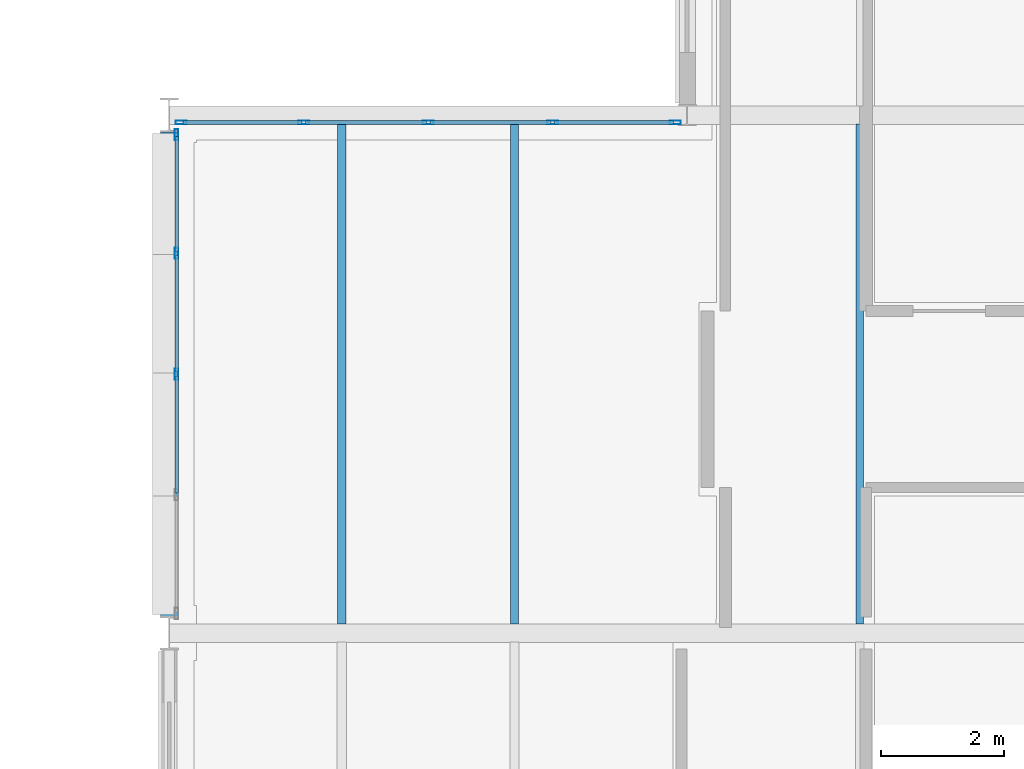
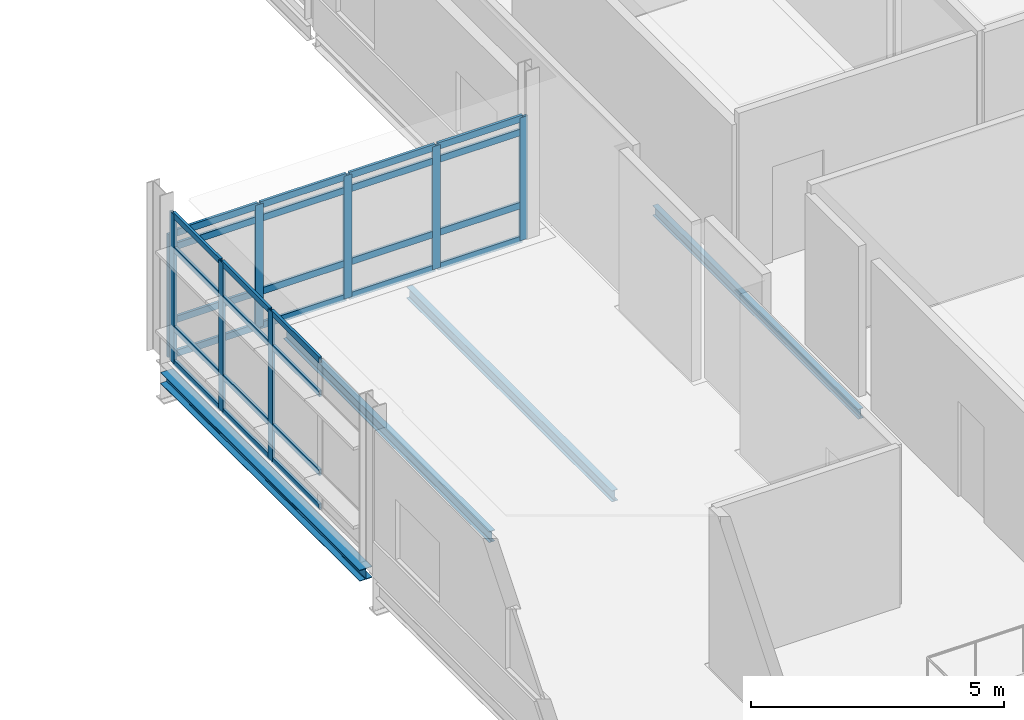
# One storey, part 53 of 131: 36 members, 4 beams, 2 elements without a shape of their own.
"""IFC4 building model written with IfcOpenShell, lengths in metres."""

import ifcopenshell
import ifcopenshell.guid

model = None  # the IFC model being written
_history = None  # IfcOwnerHistory: only IFC2X3 demands one
_inside = {}  # id of a spatial element -> (the spatial element, [elements in it])
_under = {}  # id of a project, library or spatial element -> (it, [spatial elements below it])
_declared = {}  # id of a project -> (the project, [libraries it declares])
_typed = {}  # id of a type object -> (the type object, [elements of that type])
_made_of = {}  # id of a material, layer set ... -> (it, [elements and type objects made of it])


def new_model(schema):
    """Start an empty IFC model of exactly this schema.

    Asked for "IFC4X3", IfcOpenShell would pick the latest addendum, in which some entities
    have other attributes; the version numbers below select the first issue.
    IFC2X3 requires an IfcOwnerHistory on every rooted entity: one is made here for all.
    """
    global model, _history
    if schema == "IFC4X3":
        model = ifcopenshell.file(schema_version=(4, 3, 0, 0))
    else:
        model = ifcopenshell.file(schema=schema)
    _inside.clear()
    _under.clear()
    _declared.clear()
    _typed.clear()
    _made_of.clear()
    _history = None
    if model.schema == "IFC2X3":
        org = make("IfcOrganization", Name="unknown")
        user = make(
            "IfcPersonAndOrganization",
            ThePerson=make("IfcPerson", FamilyName="unknown"),
            TheOrganization=org,
        )
        app = make(
            "IfcApplication",
            ApplicationDeveloper=org,
            Version="unknown",
            ApplicationFullName="unknown",
            ApplicationIdentifier="unknown",
        )
        _history = make(
            "IfcOwnerHistory",
            OwningUser=user,
            OwningApplication=app,
            ChangeAction="ADDED",
            CreationDate=0,
        )
    return model


def make(cls, **values):
    """One entity of the class cls with the attributes given. An attribute that is None is left unset."""
    return model.create_entity(
        cls, **{name: value for name, value in values.items() if value is not None}
    )


def rooted(cls, **values):
    """An entity with a GlobalId (a new one), such as an element, a storey or a relation."""
    return make(cls, GlobalId=ifcopenshell.guid.new(), OwnerHistory=_history, **values)


def si_unit(unit_type, name, prefix=None):
    """IfcSIUnit, for example si_unit("LENGTHUNIT", "METRE", prefix="MILLI")."""
    return make("IfcSIUnit", UnitType=unit_type, Prefix=prefix, Name=name)


def assignment(units):
    """IfcUnitAssignment: the units of a project."""
    return None if units is None else make("IfcUnitAssignment", Units=units)


def point(xyz):
    """IfcCartesianPoint."""
    return None if xyz is None else make("IfcCartesianPoint", Coordinates=xyz)


def direction(xyz):
    """IfcDirection."""
    return None if xyz is None else make("IfcDirection", DirectionRatios=xyz)


def frame(location, z_axis=None, x_axis=None):
    """IfcAxis2Placement3D, a coordinate frame: its origin and axes. An axis left out is left unset."""
    return make(
        "IfcAxis2Placement3D",
        Location=point(location),
        Axis=direction(z_axis),
        RefDirection=direction(x_axis),
    )


def frame_2d(location, x_axis=None):
    """IfcAxis2Placement2D, a coordinate frame in the plane: its origin and x axis."""
    return make(
        "IfcAxis2Placement2D", Location=point(location), RefDirection=direction(x_axis)
    )


def origin():
    """The frame at (0, 0, 0) with its axes left unset."""
    return frame((0.0, 0.0, 0.0))


def origin_2d():
    """The frame at (0, 0) in the plane with its x axis left unset."""
    return frame_2d((0.0, 0.0))


def place(relative_to, where):
    """IfcLocalPlacement: puts the frame where relative to a parent placement (None: the world)."""
    return make(
        "IfcLocalPlacement", PlacementRelTo=relative_to, RelativePlacement=where
    )


def context(
    kind, dimensions, precision=None, world=None, true_north=None, identifier=None
):
    """IfcGeometricRepresentationContext, for example the 3D "Model" context."""
    return make(
        "IfcGeometricRepresentationContext",
        ContextIdentifier=identifier,
        ContextType=kind,
        CoordinateSpaceDimension=dimensions,
        Precision=precision,
        WorldCoordinateSystem=world,
        TrueNorth=true_north,
    )


def subcontext(parent, identifier, kind, view, scale=None):
    """IfcGeometricRepresentationSubContext, for example "Body" below "Model"."""
    return make(
        "IfcGeometricRepresentationSubContext",
        ContextIdentifier=identifier,
        ContextType=kind,
        ParentContext=parent,
        TargetScale=scale,
        TargetView=view,
    )


def project(units=None, contexts=None):
    """IfcProject with its units and contexts."""
    return rooted(
        "IfcProject",
        Name="project",
        RepresentationContexts=contexts,
        UnitsInContext=assignment(units),
    )


def spatial(cls, under=None, at=None, **own):
    """A site, building, storey or space (cls), placed at a placement, below another one or the project."""
    s = rooted(cls, ObjectPlacement=at, **own)
    if under is not None:
        _under.setdefault(under.id(), (under, []))[1].append(s)
    return s


def profile(cls, at=None, kind="AREA", **sizes):
    """A parametric profile (cls). Its sizes go by their IFC names, for example OverallWidth=200.0."""
    return make(cls, ProfileType=kind, Position=at, **sizes)


def hollow_rectangle(**sizes):
    """IfcRectangleHollowProfileDef."""
    return profile("IfcRectangleHollowProfileDef", **sizes)


def i_section(**sizes):
    """IfcIShapeProfileDef."""
    return profile("IfcIShapeProfileDef", **sizes)


def extrude(swept, where, along, depth):
    """IfcExtrudedAreaSolid: the profile swept, set in the frame where, extruded along a direction by depth."""
    return make(
        "IfcExtrudedAreaSolid",
        SweptArea=swept,
        Position=where,
        ExtrudedDirection=direction(along),
        Depth=depth,
    )


def shape(context_of_items, identifier, shape_type, items):
    """IfcShapeRepresentation: the items that make up one representation, for example the "Body"."""
    return make(
        "IfcShapeRepresentation",
        ContextOfItems=context_of_items,
        RepresentationIdentifier=identifier,
        RepresentationType=shape_type,
        Items=items,
    )


def material(Name=None, Category=None):
    """IfcMaterial."""
    return make("IfcMaterial", Name=Name, Category=Category)


def material_profile(
    of_material, cross_section, Name=None, Category=None, Priority=None
):
    """IfcMaterialProfile: a cross section and its material."""
    return make(
        "IfcMaterialProfile",
        Name=Name,
        Material=of_material,
        Profile=cross_section,
        Priority=Priority,
        Category=Category,
    )


def profile_set(profiles, Name=None, composite=None):
    """IfcMaterialProfileSet."""
    return make(
        "IfcMaterialProfileSet",
        Name=Name,
        MaterialProfiles=profiles,
        CompositeProfile=composite,
    )


def made_of(thing, what):
    """Note that an element or type object is made of a material, layer set ...; save() writes the relation."""
    if what is not None:
        _made_of.setdefault(what.id(), (what, []))[1].append(thing)
    return thing


def type_object(cls, material=None, **own):
    """A type object (cls), such as IfcWallType, which elements share."""
    return made_of(rooted(cls, **own), material)


def element(
    cls,
    number,
    at=None,
    inside=None,
    cuts=None,
    type_object=None,
    material=None,
    context=None,
    identifier="Body",
    shape_type=None,
    held_by="IfcProductDefinitionShape",
    body=None,
    shapes=None,
    **own,
):
    """One element of the class cls, such as IfcWall. Its Tag is "e" and its number.

    at: its placement. inside: the storey or other place that contains it. cuts: it is an
    opening in that element (IfcRelVoidsElement). A single representation is given by context,
    identifier, shape_type and body (its items); several are given by shapes. held_by: the class
    of the entity that holds the representations. save() writes the other relations.
    """
    e = rooted(cls, Tag="e%d" % number, ObjectPlacement=at, **own)
    if body is not None:
        shapes = [shape(context, identifier, shape_type, body)]
    if shapes is not None:
        e.Representation = make(held_by, Representations=shapes)
    if inside is not None:
        _inside.setdefault(inside.id(), (inside, []))[1].append(e)
    if cuts is not None:
        rooted(
            "IfcRelVoidsElement", RelatingBuildingElement=cuts, RelatedOpeningElement=e
        )
    if type_object is not None:
        _typed.setdefault(type_object.id(), (type_object, []))[1].append(e)
    return made_of(e, material)


def aggregate(whole, parts):
    """IfcRelAggregates: a whole, such as a stair, and the parts it consists of."""
    return rooted("IfcRelAggregates", RelatingObject=whole, RelatedObjects=parts)


def save(model, path):
    """Write the relations noted so far, then the file.

    IfcRelAggregates (storeys below a building ...), IfcRelContainedInSpatialStructure (elements
    in a storey), IfcRelDefinesByType, IfcRelAssociatesMaterial and IfcRelDeclares: one each for
    every whole, place, type object, material and project.
    """
    for whole, parts in _under.values():
        aggregate(whole, parts)
    for where, things in _inside.values():
        rooted(
            "IfcRelContainedInSpatialStructure",
            RelatedElements=things,
            RelatingStructure=where,
        )
    for kind, things in _typed.values():
        rooted("IfcRelDefinesByType", RelatedObjects=things, RelatingType=kind)
    for what, things in _made_of.values():
        rooted("IfcRelAssociatesMaterial", RelatedObjects=things, RelatingMaterial=what)
    for by, libraries in _declared.values():
        rooted("IfcRelDeclares", RelatingContext=by, RelatedDefinitions=libraries)
    model.write(path)


model = new_model("IFC4")

# Units and contexts
model_context = context("Model", 3, precision=1e-05, world=origin(), true_north=direction((0.0, 1.0)))
body_context = subcontext(model_context, "Body", "Model", "MODEL_VIEW")
ifc_project = project(units=[si_unit("LENGTHUNIT", "METRE"), si_unit("AREAUNIT", "SQUARE_METRE"), si_unit("VOLUMEUNIT", "CUBIC_METRE"), si_unit("PLANEANGLEUNIT", "RADIAN"), si_unit("MASSUNIT", "GRAM", prefix="KILO")], contexts=[model_context])

# Site, building, storey
site_placement = place(None, origin())
site = spatial("IfcSite", under=ifc_project, at=site_placement, CompositionType="ELEMENT")
building_placement = place(site_placement, origin())
building = spatial("IfcBuilding", under=site, at=building_placement, Name="Mersafa Astral City Hall", CompositionType="ELEMENT")
storey_placement = place(building_placement, frame((0.0, 0.0, 13.949951171875)))
storey = spatial("IfcBuildingStorey", under=building, at=storey_placement, Name="L03", CompositionType="ELEMENT", Elevation=13.949951171875)

# Curtain wall, members
ifc_material_1 = material(Name="Anodised bronze aluminium framing", Category="aluminium")
curtain_wall_type_1 = type_object("IfcCurtainWallType", Name="ENV-CW-5", PredefinedType="USERDEFINED", material=ifc_material_1)
curtain_wall_1_placement = place(storey_placement, origin())
curtain_wall_1 = element("IfcCurtainWall", 1, at=curtain_wall_1_placement, inside=storey, type_object=curtain_wall_type_1, Name="L03 Unitised solar curtain wall 184", ObjectType="UNITISED CURTAIN WALL", PredefinedType="USERDEFINED")
ifc_material_profile_1 = material_profile(ifc_material_1, hollow_rectangle(XDim=0.06005859375, YDim=0.179931640625, WallThickness=0.00390625, at=origin_2d()), Name="RHS 60x180x4")
ifc_profile_set_1 = profile_set([ifc_material_profile_1], Name="Anodised bronze aluminium framing")
member_type_1 = type_object("IfcMemberType", Name="ENV-CW-MUL-1", PredefinedType="MULLION", material=ifc_profile_set_1)
member_1_placement = place(storey_placement, frame((100.60791015625, 92.280029296875, -0.001953125), z_axis=(0.0, 0.0, 1.0), x_axis=(0.0, -1.0, 0.0)))
member_1 = element("IfcMember", 2, at=member_1_placement, type_object=member_type_1, Name="CW-5 mullion 1", PredefinedType="MULLION", context=body_context, shape_type="SweptSolid", body=[
    extrude(hollow_rectangle(XDim=0.06005859375, YDim=0.179931640625, WallThickness=0.00390625, at=origin_2d()), origin(), (0.0, 0.0, 1.0), 2.964111328125),
])
member_2_placement = place(storey_placement, frame((98.618896484375, 92.280029296875, -0.001953125), z_axis=(0.0, 0.0, 1.0), x_axis=(0.0, -1.0, 0.0)))
member_2 = element("IfcMember", 3, at=member_2_placement, type_object=member_type_1, Name="CW-5 mullion 2", PredefinedType="MULLION", context=body_context, shape_type="SweptSolid", body=[
    extrude(hollow_rectangle(XDim=0.06005859375, YDim=0.179931640625, WallThickness=0.00390625, at=origin_2d()), origin(), (0.0, 0.0, 1.0), 2.964111328125),
])
member_3_placement = place(storey_placement, frame((96.60009765625, 92.280029296875, -0.001953125), z_axis=(0.0, 0.0, 1.0), x_axis=(0.0, -1.0, 0.0)))
member_3 = element("IfcMember", 4, at=member_3_placement, type_object=member_type_1, Name="CW-5 mullion 3", PredefinedType="MULLION", context=body_context, shape_type="SweptSolid", body=[
    extrude(hollow_rectangle(XDim=0.06005859375, YDim=0.179931640625, WallThickness=0.00390625, at=origin_2d()), origin(), (0.0, 0.0, 1.0), 2.964111328125),
])
member_4_placement = place(storey_placement, frame((94.5810546875, 92.280029296875, -0.001953125), z_axis=(0.0, 0.0, 1.0), x_axis=(0.0, -1.0, 0.0)))
member_4 = element("IfcMember", 5, at=member_4_placement, type_object=member_type_1, Name="CW-5 mullion 4", PredefinedType="MULLION", context=body_context, shape_type="SweptSolid", body=[
    extrude(hollow_rectangle(XDim=0.06005859375, YDim=0.179931640625, WallThickness=0.00390625, at=origin_2d()), origin(), (0.0, 0.0, 1.0), 2.964111328125),
])
member_5_placement = place(storey_placement, frame((92.592041015625, 92.280029296875, -0.001953125), z_axis=(0.0, 0.0, 1.0), x_axis=(0.0, -1.0, 0.0)))
member_5 = element("IfcMember", 6, at=member_5_placement, type_object=member_type_1, Name="CW-5 mullion 5", PredefinedType="MULLION", context=body_context, shape_type="SweptSolid", body=[
    extrude(hollow_rectangle(XDim=0.06005859375, YDim=0.179931640625, WallThickness=0.00390625, at=origin_2d()), origin(), (0.0, 0.0, 1.0), 2.964111328125),
])

curtain_wall_type_2 = type_object("IfcCurtainWallType", Name="ENV-CW-6", PredefinedType="USERDEFINED", material=ifc_material_1)
curtain_wall_2_placement = place(storey_placement, origin())
curtain_wall_2 = element("IfcCurtainWall", 7, at=curtain_wall_2_placement, inside=storey, type_object=curtain_wall_type_2, Name="L03 Unitised solar curtain wall 185", ObjectType="UNITISED CURTAIN WALL", PredefinedType="USERDEFINED")
member_6_placement = place(storey_placement, frame((92.52001953125, 92.0830078125, -0.001953125), z_axis=(0.0, 0.0, 1.0), x_axis=(1.0, 0.0, 0.0)))
member_6 = element("IfcMember", 8, at=member_6_placement, type_object=member_type_1, Name="CW-6 mullion 1", PredefinedType="MULLION", context=body_context, shape_type="SweptSolid", body=[
    extrude(hollow_rectangle(XDim=0.06005859375, YDim=0.179931640625, WallThickness=0.00390625, at=origin_2d()), origin(), (0.0, 0.0, 1.0), 3.593994140625),
])
member_7_placement = place(storey_placement, frame((92.52001953125, 90.156494140625, -0.001953125), z_axis=(0.0, 0.0, 1.0), x_axis=(1.0, 0.0, 0.0)))
member_7 = element("IfcMember", 9, at=member_7_placement, type_object=member_type_1, Name="CW-6 mullion 2", PredefinedType="MULLION", context=body_context, shape_type="SweptSolid", body=[
    extrude(hollow_rectangle(XDim=0.06005859375, YDim=0.179931640625, WallThickness=0.00390625, at=origin_2d()), origin(), (0.0, 0.0, 1.0), 3.593994140625),
])
member_8_placement = place(storey_placement, frame((92.52001953125, 88.199951171875, -0.001953125), z_axis=(0.0, 0.0, 1.0), x_axis=(1.0, 0.0, 0.0)))
member_8 = element("IfcMember", 10, at=member_8_placement, type_object=member_type_1, Name="CW-6 mullion 3", PredefinedType="MULLION", context=body_context, shape_type="SweptSolid", body=[
    extrude(hollow_rectangle(XDim=0.06005859375, YDim=0.179931640625, WallThickness=0.00390625, at=origin_2d()), origin(), (0.0, 0.0, 1.0), 3.593994140625),
])
ifc_material_profile_2 = material_profile(ifc_material_1, hollow_rectangle(XDim=0.06005859375, YDim=0.139892578125, WallThickness=0.00390625, at=origin_2d()), Name="RHS 60x140x4")
ifc_profile_set_2 = profile_set([ifc_material_profile_2], Name="Anodised bronze aluminium framing")
member_type_2 = type_object("IfcMemberType", Name="ENV-CW-TRN-1", PredefinedType="USERDEFINED", material=ifc_profile_set_2)
member_9_placement = place(storey_placement, frame((92.52001953125, 92.052978515625, 0.028076171875), z_axis=(0.0, -1.0, 0.0), x_axis=(1.0, 0.0, 0.0)))
member_9 = element("IfcMember", 11, at=member_9_placement, type_object=member_type_2, Name="CW-6 transom 1.1", ObjectType="TRANSOM", PredefinedType="USERDEFINED", context=body_context, shape_type="SweptSolid", body=[
    extrude(hollow_rectangle(XDim=0.06005859375, YDim=0.139892578125, WallThickness=0.00390625, at=origin_2d()), origin(), (0.0, 0.0, 1.0), 1.866455078125),
])
member_10_placement = place(storey_placement, frame((92.52001953125, 92.052978515625, 0.85009765625), z_axis=(0.0, -1.0, 0.0), x_axis=(1.0, 0.0, 0.0)))
member_10 = element("IfcMember", 12, at=member_10_placement, type_object=member_type_2, Name="CW-6 transom 1.2", ObjectType="TRANSOM", PredefinedType="USERDEFINED", context=body_context, shape_type="SweptSolid", body=[
    extrude(hollow_rectangle(XDim=0.06005859375, YDim=0.139892578125, WallThickness=0.00390625, at=origin_2d()), origin(), (0.0, 0.0, 1.0), 1.866455078125),
])
member_11_placement = place(storey_placement, frame((92.52001953125, 92.052978515625, 2.75), z_axis=(0.0, -1.0, 0.0), x_axis=(1.0, 0.0, 0.0)))
member_11 = element("IfcMember", 13, at=member_11_placement, type_object=member_type_2, Name="CW-6 transom 1.3", ObjectType="TRANSOM", PredefinedType="USERDEFINED", context=body_context, shape_type="SweptSolid", body=[
    extrude(hollow_rectangle(XDim=0.06005859375, YDim=0.139892578125, WallThickness=0.00390625, at=origin_2d()), origin(), (0.0, 0.0, 1.0), 1.866455078125),
])
member_12_placement = place(storey_placement, frame((92.52001953125, 92.052978515625, 3.56201171875), z_axis=(0.0, -1.0, 0.0), x_axis=(1.0, 0.0, 0.0)))
member_12 = element("IfcMember", 14, at=member_12_placement, type_object=member_type_2, Name="CW-6 transom 1.4", ObjectType="TRANSOM", PredefinedType="USERDEFINED", context=body_context, shape_type="SweptSolid", body=[
    extrude(hollow_rectangle(XDim=0.06005859375, YDim=0.139892578125, WallThickness=0.00390625, at=origin_2d()), origin(), (0.0, 0.0, 1.0), 1.866455078125),
])
member_13_placement = place(storey_placement, frame((92.52001953125, 90.12646484375, 0.028076171875), z_axis=(0.0, -1.0, 0.0), x_axis=(1.0, 0.0, 0.0)))
member_13 = element("IfcMember", 15, at=member_13_placement, type_object=member_type_2, Name="CW-6 transom 2.1", ObjectType="TRANSOM", PredefinedType="USERDEFINED", context=body_context, shape_type="SweptSolid", body=[
    extrude(hollow_rectangle(XDim=0.06005859375, YDim=0.139892578125, WallThickness=0.00390625, at=origin_2d()), origin(), (0.0, 0.0, 1.0), 1.896484375),
])
member_14_placement = place(storey_placement, frame((92.52001953125, 90.12646484375, 0.85009765625), z_axis=(0.0, -1.0, 0.0), x_axis=(1.0, 0.0, 0.0)))
member_14 = element("IfcMember", 16, at=member_14_placement, type_object=member_type_2, Name="CW-6 transom 2.2", ObjectType="TRANSOM", PredefinedType="USERDEFINED", context=body_context, shape_type="SweptSolid", body=[
    extrude(hollow_rectangle(XDim=0.06005859375, YDim=0.139892578125, WallThickness=0.00390625, at=origin_2d()), origin(), (0.0, 0.0, 1.0), 1.896484375),
])
member_15_placement = place(storey_placement, frame((92.52001953125, 90.12646484375, 2.75), z_axis=(0.0, -1.0, 0.0), x_axis=(1.0, 0.0, 0.0)))
member_15 = element("IfcMember", 17, at=member_15_placement, type_object=member_type_2, Name="CW-6 transom 2.3", ObjectType="TRANSOM", PredefinedType="USERDEFINED", context=body_context, shape_type="SweptSolid", body=[
    extrude(hollow_rectangle(XDim=0.06005859375, YDim=0.139892578125, WallThickness=0.00390625, at=origin_2d()), origin(), (0.0, 0.0, 1.0), 1.896484375),
])
member_16_placement = place(storey_placement, frame((92.52001953125, 90.12646484375, 3.56201171875), z_axis=(0.0, -1.0, 0.0), x_axis=(1.0, 0.0, 0.0)))
member_16 = element("IfcMember", 18, at=member_16_placement, type_object=member_type_2, Name="CW-6 transom 2.4", ObjectType="TRANSOM", PredefinedType="USERDEFINED", context=body_context, shape_type="SweptSolid", body=[
    extrude(hollow_rectangle(XDim=0.06005859375, YDim=0.139892578125, WallThickness=0.00390625, at=origin_2d()), origin(), (0.0, 0.0, 1.0), 1.896484375),
])
member_17_placement = place(storey_placement, frame((92.52001953125, 88.169921875, 0.028076171875), z_axis=(0.0, -1.0, 0.0), x_axis=(1.0, 0.0, 0.0)))
member_17 = element("IfcMember", 19, at=member_17_placement, type_object=member_type_2, Name="CW-6 transom 3.1", ObjectType="TRANSOM", PredefinedType="USERDEFINED", context=body_context, shape_type="SweptSolid", body=[
    extrude(hollow_rectangle(XDim=0.06005859375, YDim=0.139892578125, WallThickness=0.00390625, at=origin_2d()), origin(), (0.0, 0.0, 1.0), 1.896484375),
])
member_18_placement = place(storey_placement, frame((92.52001953125, 88.169921875, 0.85009765625), z_axis=(0.0, -1.0, 0.0), x_axis=(1.0, 0.0, 0.0)))
member_18 = element("IfcMember", 20, at=member_18_placement, type_object=member_type_2, Name="CW-6 transom 3.2", ObjectType="TRANSOM", PredefinedType="USERDEFINED", context=body_context, shape_type="SweptSolid", body=[
    extrude(hollow_rectangle(XDim=0.06005859375, YDim=0.139892578125, WallThickness=0.00390625, at=origin_2d()), origin(), (0.0, 0.0, 1.0), 1.896484375),
])
member_19_placement = place(storey_placement, frame((92.52001953125, 88.169921875, 2.75), z_axis=(0.0, -1.0, 0.0), x_axis=(1.0, 0.0, 0.0)))
member_19 = element("IfcMember", 21, at=member_19_placement, type_object=member_type_2, Name="CW-6 transom 3.3", ObjectType="TRANSOM", PredefinedType="USERDEFINED", context=body_context, shape_type="SweptSolid", body=[
    extrude(hollow_rectangle(XDim=0.06005859375, YDim=0.139892578125, WallThickness=0.00390625, at=origin_2d()), origin(), (0.0, 0.0, 1.0), 1.896484375),
])
member_20_placement = place(storey_placement, frame((92.52001953125, 88.169921875, 3.56201171875), z_axis=(0.0, -1.0, 0.0), x_axis=(1.0, 0.0, 0.0)))
member_20 = element("IfcMember", 22, at=member_20_placement, type_object=member_type_2, Name="CW-6 transom 3.4", ObjectType="TRANSOM", PredefinedType="USERDEFINED", context=body_context, shape_type="SweptSolid", body=[
    extrude(hollow_rectangle(XDim=0.06005859375, YDim=0.139892578125, WallThickness=0.00390625, at=origin_2d()), origin(), (0.0, 0.0, 1.0), 1.896484375),
])
aggregate(curtain_wall_2, [member_6, member_7, member_8, member_9, member_10, member_11, member_12, member_13, member_14, member_15, member_16, member_17, member_18, member_19, member_20])

# Member
ifc_material_profile_3 = material_profile(ifc_material_1, hollow_rectangle(XDim=0.06005859375, YDim=0.159912109375, WallThickness=0.00390625, at=origin_2d()), Name="RHS 60x160x4")
ifc_profile_set_3 = profile_set([ifc_material_profile_3], Name="Anodised bronze aluminium framing")
member_type_3 = type_object("IfcMemberType", Name="ENV-CW-TRN-2", PredefinedType="USERDEFINED", material=ifc_profile_set_3)
member_21_placement = place(storey_placement, frame((100.577880859375, 92.280029296875, 0.028076171875), z_axis=(-1.0, 0.0, 0.0), x_axis=(0.0, -1.0, 0.0)))
member_21 = element("IfcMember", 23, at=member_21_placement, type_object=member_type_3, Name="CW-5 transom 1.1", ObjectType="TRANSOM", PredefinedType="USERDEFINED", context=body_context, shape_type="SweptSolid", body=[
    extrude(hollow_rectangle(XDim=0.06005859375, YDim=0.159912109375, WallThickness=0.00390625, at=origin_2d()), origin(), (0.0, 0.0, 1.0), 1.928955078125),
])

member_22_placement = place(storey_placement, frame((100.577880859375, 92.280029296875, 0.85009765625), z_axis=(-1.0, 0.0, 0.0), x_axis=(0.0, -1.0, 0.0)))
member_22 = element("IfcMember", 24, at=member_22_placement, type_object=member_type_3, Name="CW-5 transom 1.2", ObjectType="TRANSOM", PredefinedType="USERDEFINED", context=body_context, shape_type="SweptSolid", body=[
    extrude(hollow_rectangle(XDim=0.06005859375, YDim=0.159912109375, WallThickness=0.00390625, at=origin_2d()), origin(), (0.0, 0.0, 1.0), 1.928955078125),
])

member_23_placement = place(storey_placement, frame((100.577880859375, 92.280029296875, 2.612060546875), z_axis=(-1.0, 0.0, 0.0), x_axis=(0.0, -1.0, 0.0)))
member_23 = element("IfcMember", 25, at=member_23_placement, type_object=member_type_3, Name="CW-5 transom 1.3", ObjectType="TRANSOM", PredefinedType="USERDEFINED", context=body_context, shape_type="SweptSolid", body=[
    extrude(hollow_rectangle(XDim=0.06005859375, YDim=0.159912109375, WallThickness=0.00390625, at=origin_2d()), origin(), (0.0, 0.0, 1.0), 1.928955078125),
])

member_24_placement = place(storey_placement, frame((100.577880859375, 92.280029296875, 2.93212890625), z_axis=(-1.0, 0.0, 0.0), x_axis=(0.0, -1.0, 0.0)))
member_24 = element("IfcMember", 26, at=member_24_placement, type_object=member_type_3, Name="CW-5 transom 1.4", ObjectType="TRANSOM", PredefinedType="USERDEFINED", context=body_context, shape_type="SweptSolid", body=[
    extrude(hollow_rectangle(XDim=0.06005859375, YDim=0.159912109375, WallThickness=0.00390625, at=origin_2d()), origin(), (0.0, 0.0, 1.0), 1.928955078125),
])

member_25_placement = place(storey_placement, frame((98.589111328125, 92.280029296875, 0.028076171875), z_axis=(-1.0, 0.0, 0.0), x_axis=(0.0, -1.0, 0.0)))
member_25 = element("IfcMember", 27, at=member_25_placement, type_object=member_type_3, Name="CW-5 transom 2.1", ObjectType="TRANSOM", PredefinedType="USERDEFINED", context=body_context, shape_type="SweptSolid", body=[
    extrude(hollow_rectangle(XDim=0.06005859375, YDim=0.159912109375, WallThickness=0.00390625, at=origin_2d()), origin(), (0.0, 0.0, 1.0), 1.959228515625),
])

member_26_placement = place(storey_placement, frame((98.589111328125, 92.280029296875, 0.85009765625), z_axis=(-1.0, 0.0, 0.0), x_axis=(0.0, -1.0, 0.0)))
member_26 = element("IfcMember", 28, at=member_26_placement, type_object=member_type_3, Name="CW-5 transom 2.2", ObjectType="TRANSOM", PredefinedType="USERDEFINED", context=body_context, shape_type="SweptSolid", body=[
    extrude(hollow_rectangle(XDim=0.06005859375, YDim=0.159912109375, WallThickness=0.00390625, at=origin_2d()), origin(), (0.0, 0.0, 1.0), 1.959228515625),
])

member_27_placement = place(storey_placement, frame((98.589111328125, 92.280029296875, 2.612060546875), z_axis=(-1.0, 0.0, 0.0), x_axis=(0.0, -1.0, 0.0)))
member_27 = element("IfcMember", 29, at=member_27_placement, type_object=member_type_3, Name="CW-5 transom 2.3", ObjectType="TRANSOM", PredefinedType="USERDEFINED", context=body_context, shape_type="SweptSolid", body=[
    extrude(hollow_rectangle(XDim=0.06005859375, YDim=0.159912109375, WallThickness=0.00390625, at=origin_2d()), origin(), (0.0, 0.0, 1.0), 1.959228515625),
])

member_28_placement = place(storey_placement, frame((98.589111328125, 92.280029296875, 2.93212890625), z_axis=(-1.0, 0.0, 0.0), x_axis=(0.0, -1.0, 0.0)))
member_28 = element("IfcMember", 30, at=member_28_placement, type_object=member_type_3, Name="CW-5 transom 2.4", ObjectType="TRANSOM", PredefinedType="USERDEFINED", context=body_context, shape_type="SweptSolid", body=[
    extrude(hollow_rectangle(XDim=0.06005859375, YDim=0.159912109375, WallThickness=0.00390625, at=origin_2d()), origin(), (0.0, 0.0, 1.0), 1.959228515625),
])

member_29_placement = place(storey_placement, frame((96.570068359375, 92.280029296875, 0.028076171875), z_axis=(-1.0, 0.0, 0.0), x_axis=(0.0, -1.0, 0.0)))
member_29 = element("IfcMember", 31, at=member_29_placement, type_object=member_type_3, Name="CW-5 transom 3.1", ObjectType="TRANSOM", PredefinedType="USERDEFINED", context=body_context, shape_type="SweptSolid", body=[
    extrude(hollow_rectangle(XDim=0.06005859375, YDim=0.159912109375, WallThickness=0.00390625, at=origin_2d()), origin(), (0.0, 0.0, 1.0), 1.958984375),
])

member_30_placement = place(storey_placement, frame((96.570068359375, 92.280029296875, 0.85009765625), z_axis=(-1.0, 0.0, 0.0), x_axis=(0.0, -1.0, 0.0)))
member_30 = element("IfcMember", 32, at=member_30_placement, type_object=member_type_3, Name="CW-5 transom 3.2", ObjectType="TRANSOM", PredefinedType="USERDEFINED", context=body_context, shape_type="SweptSolid", body=[
    extrude(hollow_rectangle(XDim=0.06005859375, YDim=0.159912109375, WallThickness=0.00390625, at=origin_2d()), origin(), (0.0, 0.0, 1.0), 1.958984375),
])

member_31_placement = place(storey_placement, frame((96.570068359375, 92.280029296875, 2.612060546875), z_axis=(-1.0, 0.0, 0.0), x_axis=(0.0, -1.0, 0.0)))
member_31 = element("IfcMember", 33, at=member_31_placement, type_object=member_type_3, Name="CW-5 transom 3.3", ObjectType="TRANSOM", PredefinedType="USERDEFINED", context=body_context, shape_type="SweptSolid", body=[
    extrude(hollow_rectangle(XDim=0.06005859375, YDim=0.159912109375, WallThickness=0.00390625, at=origin_2d()), origin(), (0.0, 0.0, 1.0), 1.958984375),
])

member_32_placement = place(storey_placement, frame((96.570068359375, 92.280029296875, 2.93212890625), z_axis=(-1.0, 0.0, 0.0), x_axis=(0.0, -1.0, 0.0)))
member_32 = element("IfcMember", 34, at=member_32_placement, type_object=member_type_3, Name="CW-5 transom 3.4", ObjectType="TRANSOM", PredefinedType="USERDEFINED", context=body_context, shape_type="SweptSolid", body=[
    extrude(hollow_rectangle(XDim=0.06005859375, YDim=0.159912109375, WallThickness=0.00390625, at=origin_2d()), origin(), (0.0, 0.0, 1.0), 1.958984375),
])

member_33_placement = place(storey_placement, frame((94.551025390625, 92.280029296875, 0.028076171875), z_axis=(-1.0, 0.0, 0.0), x_axis=(0.0, -1.0, 0.0)))
member_33 = element("IfcMember", 35, at=member_33_placement, type_object=member_type_3, Name="CW-5 transom 4.1", ObjectType="TRANSOM", PredefinedType="USERDEFINED", context=body_context, shape_type="SweptSolid", body=[
    extrude(hollow_rectangle(XDim=0.06005859375, YDim=0.159912109375, WallThickness=0.00390625, at=origin_2d()), origin(), (0.0, 0.0, 1.0), 1.928955078125),
])

member_34_placement = place(storey_placement, frame((94.551025390625, 92.280029296875, 0.85009765625), z_axis=(-1.0, 0.0, 0.0), x_axis=(0.0, -1.0, 0.0)))
member_34 = element("IfcMember", 36, at=member_34_placement, type_object=member_type_3, Name="CW-5 transom 4.2", ObjectType="TRANSOM", PredefinedType="USERDEFINED", context=body_context, shape_type="SweptSolid", body=[
    extrude(hollow_rectangle(XDim=0.06005859375, YDim=0.159912109375, WallThickness=0.00390625, at=origin_2d()), origin(), (0.0, 0.0, 1.0), 1.928955078125),
])

member_35_placement = place(storey_placement, frame((94.551025390625, 92.280029296875, 2.612060546875), z_axis=(-1.0, 0.0, 0.0), x_axis=(0.0, -1.0, 0.0)))
member_35 = element("IfcMember", 37, at=member_35_placement, type_object=member_type_3, Name="CW-5 transom 4.3", ObjectType="TRANSOM", PredefinedType="USERDEFINED", context=body_context, shape_type="SweptSolid", body=[
    extrude(hollow_rectangle(XDim=0.06005859375, YDim=0.159912109375, WallThickness=0.00390625, at=origin_2d()), origin(), (0.0, 0.0, 1.0), 1.928955078125),
])

member_36_placement = place(storey_placement, frame((94.551025390625, 92.280029296875, 2.93212890625), z_axis=(-1.0, 0.0, 0.0), x_axis=(0.0, -1.0, 0.0)))
member_36 = element("IfcMember", 38, at=member_36_placement, type_object=member_type_3, Name="CW-5 transom 4.4", ObjectType="TRANSOM", PredefinedType="USERDEFINED", context=body_context, shape_type="SweptSolid", body=[
    extrude(hollow_rectangle(XDim=0.06005859375, YDim=0.159912109375, WallThickness=0.00390625, at=origin_2d()), origin(), (0.0, 0.0, 1.0), 1.928955078125),
])

aggregate(curtain_wall_1, [member_1, member_2, member_3, member_4, member_5, member_21, member_22, member_23, member_24, member_25, member_26, member_27, member_28, member_29, member_30, member_31, member_32, member_33, member_34, member_35, member_36])

# Beams
ifc_material_2 = material(Name="Steel S355", Category="steel")
ifc_material_profile_4 = material_profile(ifc_material_2, i_section(OverallWidth=0.1201171875, OverallDepth=0.239990234375, WebThickness=0.006103515625, FlangeThickness=0.009765625, FilletRadius=0.014892578125, at=origin_2d()), Name="IPE 240")
ifc_profile_set_4 = profile_set([ifc_material_profile_4], Name="Steel S355")
beam_type_1 = type_object("IfcBeamType", Name="STR-BM-JOIST-IPE240", PredefinedType="JOIST", material=ifc_profile_set_4)
beam_1_placement = place(storey_placement, frame((103.60009765625, 84.14501953125, -0.320068359375), z_axis=(0.0, 1.0, 0.0), x_axis=(-1.0, 0.0, 0.0)))
element("IfcBeam", 39, at=beam_1_placement, inside=storey, type_object=beam_type_1, Name="L03 Composite secondary floor joist 596", PredefinedType="JOIST", context=body_context, shape_type="SweptSolid", body=[
    extrude(i_section(OverallWidth=0.1201171875, OverallDepth=0.239990234375, WebThickness=0.006103515625, FlangeThickness=0.009765625, FilletRadius=0.014892578125, at=origin_2d()), origin(), (0.0, 0.0, 1.0), 8.10986328125),
])
ifc_material_profile_5 = material_profile(ifc_material_2, i_section(OverallWidth=0.135009765625, OverallDepth=0.27001953125, WebThickness=0.006591796875, FlangeThickness=0.01025390625, FilletRadius=0.014892578125, at=origin_2d()), Name="IPE 270")
ifc_profile_set_5 = profile_set([ifc_material_profile_5], Name="Steel S355")
beam_type_2 = type_object("IfcBeamType", Name="STR-BM-JOIST-IPE270", PredefinedType="JOIST", material=ifc_profile_set_5)
for number, where, z_axis, x_axis, name in (
    (40, (95.199951171875, 84.14501953125, -0.3349609375), (0.0, 1.0, 0.0), (-1.0, 0.0, 0.0), "L03 Composite secondary floor joist 590"),
    (41, (98.0, 84.14501953125, -0.3349609375), (0.0, 1.0, 0.0), (-1.0, 0.0, 0.0), "L03 Composite secondary floor joist 591"),
):
    element("IfcBeam", number, at=place(storey_placement, frame(where, z_axis=z_axis, x_axis=x_axis)), inside=storey, type_object=beam_type_2, Name=name, PredefinedType="JOIST", context=body_context, shape_type="SweptSolid", body=[
        extrude(i_section(OverallWidth=0.135009765625, OverallDepth=0.27001953125, WebThickness=0.006591796875, FlangeThickness=0.01025390625, FilletRadius=0.014892578125, at=origin_2d()), origin(), (0.0, 0.0, 1.0), 8.10986328125),
    ])
ifc_material_profile_6 = material_profile(ifc_material_2, i_section(OverallWidth=0.280029296875, OverallDepth=0.27001953125, WebThickness=0.008056640625, FlangeThickness=0.012939453125, FilletRadius=0.02392578125, at=origin_2d()), Name="HEA 280")
ifc_profile_set_6 = profile_set([ifc_material_profile_6], Name="Steel S355")
beam_type_3 = type_object("IfcBeamType", Name="STR-BM-SPANDREL-HEA280", PredefinedType="SPANDREL", material=ifc_profile_set_6)
beam_2_placement = place(storey_placement, frame((92.39990234375, 84.27001953125, -0.3349609375), z_axis=(0.0, 1.0, 0.0), x_axis=(-1.0, 0.0, 0.0)))
element("IfcBeam", 42, at=beam_2_placement, inside=storey, type_object=beam_type_3, Name="L03 Primary girder Y 11-10", PredefinedType="SPANDREL", context=body_context, shape_type="SweptSolid", body=[
    extrude(i_section(OverallWidth=0.280029296875, OverallDepth=0.27001953125, WebThickness=0.008056640625, FlangeThickness=0.012939453125, FilletRadius=0.02392578125, at=origin_2d()), origin(), (0.0, 0.0, 1.0), 7.85986328125),
])

save(model, "model.ifc")
